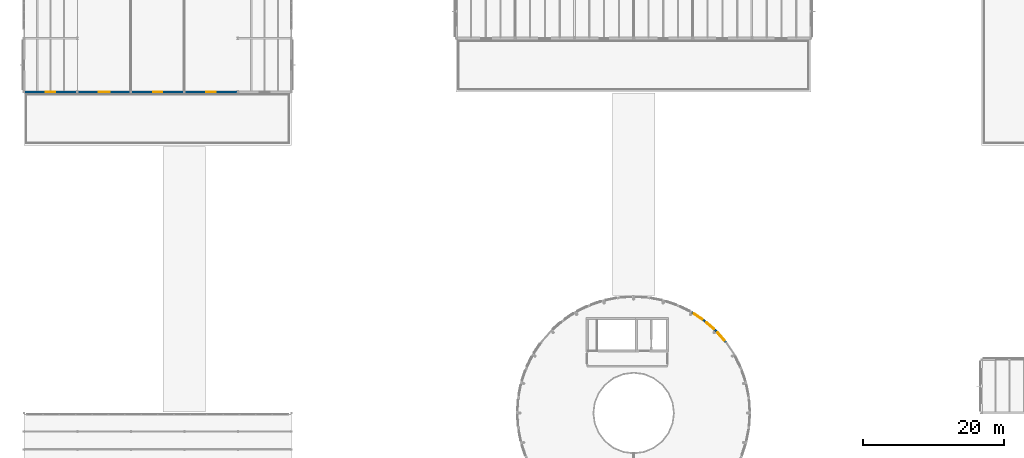
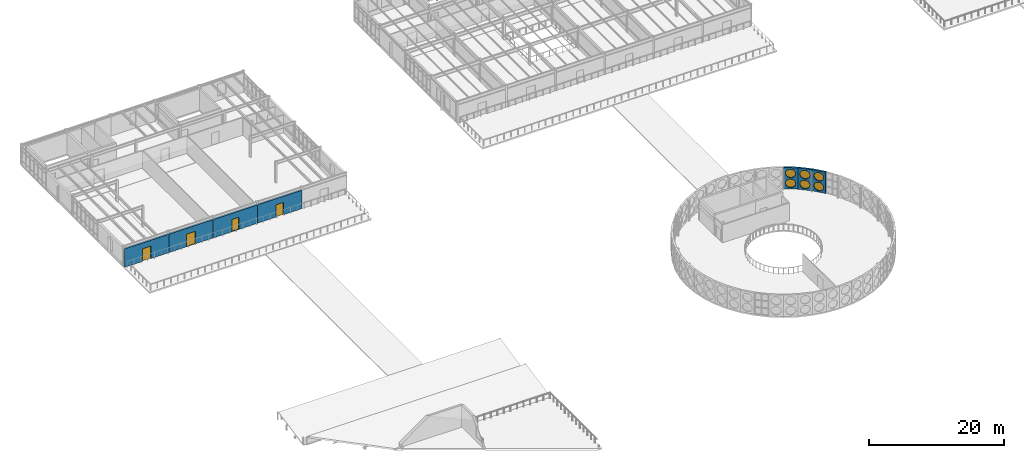
# One storey, part 89 of 114: 7 walls, 6 windows, 4 doors, 10 openings.
"""IFC4 building model written with IfcOpenShell, lengths in metres."""

from ifc_helpers import new_model, si_unit, direction, frame, frame_2d, origin, place, context, subcontext, project, spatial, rectangle, circle, extrude, material, layer, layer_set, type_object, element, fill, save


model = new_model("IFC4")

# Units and contexts
model_context = context("Model", 3, precision=1e-05, world=origin(), true_north=direction((0.0, 1.0)))
body_context = subcontext(model_context, "Body", "Model", "MODEL_VIEW")
ifc_project = project(units=[si_unit("LENGTHUNIT", "METRE"), si_unit("AREAUNIT", "SQUARE_METRE"), si_unit("VOLUMEUNIT", "CUBIC_METRE"), si_unit("PLANEANGLEUNIT", "RADIAN"), si_unit("MASSUNIT", "GRAM", prefix="KILO")], contexts=[model_context])

# Site, building, storey
site_placement = place(None, origin())
site = spatial("IfcSite", under=ifc_project, at=site_placement, CompositionType="ELEMENT")
building_placement = place(site_placement, origin())
building = spatial("IfcBuilding", under=site, at=building_placement, Name="Montecoro Central Library", CompositionType="ELEMENT")
storey_placement = place(building_placement, frame((0.0, 0.0, 13.260009765625)))
storey = spatial("IfcBuildingStorey", under=building, at=storey_placement, Name="L03", CompositionType="ELEMENT", Elevation=13.260009765625)

# Wall, openings, windows
ifc_material_1 = material(Name="Travertine Roman Stone and concrete C35/45", Category="masonry")
ifc_layer_1 = layer(ifc_material_1, 0.294921875)
ifc_layer_set_1 = layer_set([ifc_layer_1], Name="Travertine Roman Stone and concrete C35/45")
wall_type_1 = type_object("IfcWallType", Name="EW-DRM-295", PredefinedType="SOLIDWALL", material=ifc_layer_set_1)
wall_1_placement = place(storey_placement, frame((104.700927734375, 45.462890625, 0.0), z_axis=(0.0, 0.0, 1.0), x_axis=(-0.659688303725, 0.751539314958, 0.0)))
wall_1 = element("IfcWall", 1, at=wall_1_placement, inside=storey, type_object=wall_type_1, Name="V1-L03-EW-06", PredefinedType="SOLIDWALL", context=body_context, shape_type="SweptSolid", body=[
    extrude(rectangle(XDim=2.14501953125, YDim=0.294921875, at=frame_2d((1.072509765625, 0.0))), origin(), (0.0, 0.0, 1.0), 3.85498046875),
])
opening_1_placement = place(wall_1_placement, frame((0.31201171875, 0.0, 0.25)))
opening_1 = element("IfcOpeningElement", 2, at=opening_1_placement, cuts=wall_1, Name="Opening WP-06", PredefinedType="OPENING", context=body_context, shape_type="SweptSolid", body=[
    extrude(circle(Radius=0.760009765625, at=frame_2d((0.760009765625, 0.760009765625))), frame((0.0, 0.157470703125, 0.0), z_axis=(0.0, -1.0, 0.0), x_axis=(1.0, 0.0, 0.0)), (0.0, 0.0, 1.0), 0.31494140625),
])
opening_2_placement = place(wall_1_placement, frame((0.31201171875, 0.0, 2.030029296875)))
opening_2 = element("IfcOpeningElement", 3, at=opening_2_placement, cuts=wall_1, Name="Opening WP-05", PredefinedType="OPENING", context=body_context, shape_type="SweptSolid", body=[
    extrude(circle(Radius=0.760009765625, at=frame_2d((0.760009765625, 0.760009765625))), frame((0.0, 0.157470703125, 0.0), z_axis=(0.0, -1.0, 0.0), x_axis=(1.0, 0.0, 0.0)), (0.0, 0.0, 1.0), 0.31494140625),
])
ifc_material_2 = material(Name="Clear sky-blue low-E laminated glazing", Category="glass")
window_type_1 = type_object("IfcWindowType", Name="WN-POR-CLR-152", PartitioningType="SINGLE_PANEL", PredefinedType="WINDOW", material=ifc_material_2)
window_1_placement = place(opening_2_placement, origin())
window_1 = element("IfcWindow", 4, at=window_1_placement, inside=storey, type_object=window_type_1, Name="V1-L03-WP-06-2", OverallHeight=1.52001953125, OverallWidth=1.52001953125, PartitioningType="SINGLE_PANEL", PredefinedType="WINDOW", context=body_context, shape_type="SweptSolid", body=[
    extrude(circle(Radius=0.760009765625, at=frame_2d((0.760009765625, 0.760009765625))), frame((0.0, 0.030029296875, 0.0), z_axis=(0.0, -1.0, 0.0), x_axis=(1.0, 0.0, 0.0)), (0.0, 0.0, 1.0), 0.06005859375),
])
fill(opening_2, window_1)
ifc_material_3 = material(Name="Frosted pearl-white ceramic-fritted glazing", Category="glass")
window_type_2 = type_object("IfcWindowType", Name="WN-POR-FRT-152", PartitioningType="SINGLE_PANEL", PredefinedType="WINDOW", material=ifc_material_3)
window_2_placement = place(opening_1_placement, origin())
window_2 = element("IfcWindow", 5, at=window_2_placement, inside=storey, type_object=window_type_2, Name="V1-L03-WP-06-1", OverallHeight=1.52001953125, OverallWidth=1.52001953125, PartitioningType="SINGLE_PANEL", PredefinedType="WINDOW", context=body_context, shape_type="SweptSolid", body=[
    extrude(circle(Radius=0.760009765625, at=frame_2d((0.760009765625, 0.760009765625))), frame((0.0, 0.030029296875, 0.0), z_axis=(0.0, -1.0, 0.0), x_axis=(1.0, 0.0, 0.0)), (0.0, 0.0, 1.0), 0.06005859375),
])
fill(opening_1, window_2)

wall_2_placement = place(storey_placement, frame((103.27490234375, 47.0859375, 0.0), z_axis=(0.0, 0.0, 1.0), x_axis=(-0.751489776362, 0.659744735503, 0.0)))
wall_2 = element("IfcWall", 6, at=wall_2_placement, inside=storey, type_object=wall_type_1, Name="V1-L03-EW-07", PredefinedType="SOLIDWALL", context=body_context, shape_type="SweptSolid", body=[
    extrude(rectangle(XDim=2.144775390625, YDim=0.294921875, at=frame_2d((1.072265625, 0.0))), origin(), (0.0, 0.0, 1.0), 3.85498046875),
])
opening_3_placement = place(wall_2_placement, frame((0.31201171875, 0.0, 0.25)))
opening_3 = element("IfcOpeningElement", 7, at=opening_3_placement, cuts=wall_2, Name="Opening WP-05", PredefinedType="OPENING", context=body_context, shape_type="SweptSolid", body=[
    extrude(circle(Radius=0.760009765625, at=frame_2d((0.760009765625, 0.760009765625))), frame((0.0, 0.157470703125, 0.0), z_axis=(0.0, -1.0, 0.0), x_axis=(1.0, 0.0, 0.0)), (0.0, 0.0, 1.0), 0.31494140625),
])
opening_4_placement = place(wall_2_placement, frame((0.31201171875, 0.0, 2.030029296875)))
opening_4 = element("IfcOpeningElement", 8, at=opening_4_placement, cuts=wall_2, Name="Opening WP-06", PredefinedType="OPENING", context=body_context, shape_type="SweptSolid", body=[
    extrude(circle(Radius=0.760009765625, at=frame_2d((0.760009765625, 0.760009765625))), frame((0.0, 0.157470703125, 0.0), z_axis=(0.0, -1.0, 0.0), x_axis=(1.0, 0.0, 0.0)), (0.0, 0.0, 1.0), 0.31494140625),
])
window_3_placement = place(opening_3_placement, origin())
window_3 = element("IfcWindow", 9, at=window_3_placement, inside=storey, type_object=window_type_1, Name="V1-L03-WP-07-1", OverallHeight=1.52001953125, OverallWidth=1.52001953125, PartitioningType="SINGLE_PANEL", PredefinedType="WINDOW", context=body_context, shape_type="SweptSolid", body=[
    extrude(circle(Radius=0.760009765625, at=frame_2d((0.760009765625, 0.760009765625))), frame((0.0, 0.030029296875, 0.0), z_axis=(0.0, -1.0, 0.0), x_axis=(1.0, 0.0, 0.0)), (0.0, 0.0, 1.0), 0.06005859375),
])
fill(opening_3, window_3)
window_4_placement = place(opening_4_placement, origin())
window_4 = element("IfcWindow", 10, at=window_4_placement, inside=storey, type_object=window_type_2, Name="V1-L03-WP-07-2", OverallHeight=1.52001953125, OverallWidth=1.52001953125, PartitioningType="SINGLE_PANEL", PredefinedType="WINDOW", context=body_context, shape_type="SweptSolid", body=[
    extrude(circle(Radius=0.760009765625, at=frame_2d((0.760009765625, 0.760009765625))), frame((0.0, 0.030029296875, 0.0), z_axis=(0.0, -1.0, 0.0), x_axis=(1.0, 0.0, 0.0)), (0.0, 0.0, 1.0), 0.06005859375),
])
fill(opening_4, window_4)

wall_3_placement = place(storey_placement, frame((101.64990234375, 48.510009765625, 0.0), z_axis=(0.0, 0.0, 1.0), x_axis=(-0.831138710759, 0.556065143197, 0.0)))
wall_3 = element("IfcWall", 11, at=wall_3_placement, inside=storey, type_object=wall_type_1, Name="V1-L03-EW-08", PredefinedType="SOLIDWALL", context=body_context, shape_type="SweptSolid", body=[
    extrude(rectangle(XDim=2.145263671875, YDim=0.294921875, at=frame_2d((1.07275390625, 0.0))), origin(), (0.0, 0.0, 1.0), 3.85498046875),
])
opening_5_placement = place(wall_3_placement, frame((0.31298828125, 0.0, 0.25)))
opening_5 = element("IfcOpeningElement", 12, at=opening_5_placement, cuts=wall_3, Name="Opening WP-06", PredefinedType="OPENING", context=body_context, shape_type="SweptSolid", body=[
    extrude(circle(Radius=0.760009765625, at=frame_2d((0.760009765625, 0.760009765625))), frame((0.0, 0.157470703125, 0.0), z_axis=(0.0, -1.0, 0.0), x_axis=(1.0, 0.0, 0.0)), (0.0, 0.0, 1.0), 0.31494140625),
])
opening_6_placement = place(wall_3_placement, frame((0.31298828125, 0.0, 2.030029296875)))
opening_6 = element("IfcOpeningElement", 13, at=opening_6_placement, cuts=wall_3, Name="Opening WP-05", PredefinedType="OPENING", context=body_context, shape_type="SweptSolid", body=[
    extrude(circle(Radius=0.760009765625, at=frame_2d((0.760009765625, 0.760009765625))), frame((0.0, 0.157470703125, 0.0), z_axis=(0.0, -1.0, 0.0), x_axis=(1.0, 0.0, 0.0)), (0.0, 0.0, 1.0), 0.31494140625),
])
window_5_placement = place(opening_6_placement, origin())
window_5 = element("IfcWindow", 14, at=window_5_placement, inside=storey, type_object=window_type_1, Name="V1-L03-WP-08-2", OverallHeight=1.52001953125, OverallWidth=1.52001953125, PartitioningType="SINGLE_PANEL", PredefinedType="WINDOW", context=body_context, shape_type="SweptSolid", body=[
    extrude(circle(Radius=0.760009765625, at=frame_2d((0.760009765625, 0.760009765625))), frame((0.0, 0.030029296875, 0.0), z_axis=(0.0, -1.0, 0.0), x_axis=(1.0, 0.0, 0.0)), (0.0, 0.0, 1.0), 0.06005859375),
])
fill(opening_6, window_5)
window_6_placement = place(opening_5_placement, origin())
window_6 = element("IfcWindow", 15, at=window_6_placement, inside=storey, type_object=window_type_2, Name="V1-L03-WP-08-1", OverallHeight=1.52001953125, OverallWidth=1.52001953125, PartitioningType="SINGLE_PANEL", PredefinedType="WINDOW", context=body_context, shape_type="SweptSolid", body=[
    extrude(circle(Radius=0.760009765625, at=frame_2d((0.760009765625, 0.760009765625))), frame((0.0, 0.030029296875, 0.0), z_axis=(0.0, -1.0, 0.0), x_axis=(1.0, 0.0, 0.0)), (0.0, 0.0, 1.0), 0.06005859375),
])
fill(opening_5, window_6)

# Wall, opening, door
ifc_material_4 = material(Name="Roman travertine stone clad concrete C35/45", Category="masonry")
ifc_layer_2 = layer(ifc_material_4, 0.324951171875)
ifc_layer_set_2 = layer_set([ifc_layer_2], Name="Roman travertine stone clad concrete C35/45")
wall_type_2 = type_object("IfcWallType", Name="EW-TRV-325", PredefinedType="SOLIDWALL", material=ifc_layer_set_2)
wall_4_placement = place(storey_placement, frame((5.00390625, 81.0, 0.0), z_axis=(0.0, 0.0, 1.0), x_axis=(1.0, 0.0, 0.0)))
wall_4 = element("IfcWall", 16, at=wall_4_placement, inside=storey, type_object=wall_type_2, Name="V4-L03-EW-S0", PredefinedType="SOLIDWALL", context=body_context, shape_type="SweptSolid", body=[
    extrude(rectangle(XDim=7.592041015625, YDim=0.324951171875, at=frame_2d((3.7958984375, 0.0))), origin(), (0.0, 0.0, 1.0), 3.320068359375),
])
opening_7_placement = place(wall_4_placement, frame((3.095947265625, 0.0, 0.0)))
opening_7 = element("IfcOpeningElement", 17, at=opening_7_placement, cuts=wall_4, Name="Opening ED-07", PredefinedType="OPENING", context=body_context, shape_type="SweptSolid", body=[
    extrude(rectangle(XDim=1.39990234375, YDim=2.25, at=frame_2d((0.699951171875, 1.125))), frame((0.0, 0.17236328125, 0.0), z_axis=(0.0, -1.0, 0.0), x_axis=(1.0, 0.0, 0.0)), (0.0, 0.0, 1.0), 0.344970703125),
])
ifc_material_5 = material(Name="Thermally broken architectural bronze and safety glass", Category="glass")
door_type_1 = type_object("IfcDoorType", Name="ED-TER-140", OperationType="NOTDEFINED", PredefinedType="DOOR", material=ifc_material_5)
door_1_placement = place(opening_7_placement, origin())
door_1 = element("IfcDoor", 18, at=door_1_placement, inside=storey, type_object=door_type_1, Name="V4-L03-TD-S0", OperationType="SINGLE_SWING_LEFT", OverallHeight=2.25, OverallWidth=1.39990234375, PredefinedType="DOOR", context=body_context, shape_type="SweptSolid", body=[
    extrude(rectangle(XDim=1.39990234375, YDim=2.25, at=frame_2d((0.699951171875, 1.125))), frame((0.0, 0.02490234375, 0.0), z_axis=(0.0, -1.0, 0.0), x_axis=(1.0, 0.0, 0.0)), (0.0, 0.0, 1.0), 0.050048828125),
])
fill(opening_7, door_1)

wall_5_placement = place(storey_placement, frame((12.60400390625, 81.0, 0.0), z_axis=(0.0, 0.0, 1.0), x_axis=(1.0, 0.0, 0.0)))
wall_5 = element("IfcWall", 19, at=wall_5_placement, inside=storey, type_object=wall_type_2, Name="V4-L03-EW-S1", PredefinedType="SOLIDWALL", context=body_context, shape_type="SweptSolid", body=[
    extrude(rectangle(XDim=7.592041015625, YDim=0.324951171875, at=frame_2d((3.7958984375, 0.0))), origin(), (0.0, 0.0, 1.0), 3.320068359375),
])
opening_8_placement = place(wall_5_placement, frame((3.02099609375, 0.0, 0.0)))
opening_8 = element("IfcOpeningElement", 20, at=opening_8_placement, cuts=wall_5, Name="Opening ED-08", PredefinedType="OPENING", context=body_context, shape_type="SweptSolid", body=[
    extrude(rectangle(XDim=1.550048828125, YDim=2.280029296875, at=frame_2d((0.77490234375, 1.14013671875))), frame((0.0, 0.17236328125, 0.0), z_axis=(0.0, -1.0, 0.0), x_axis=(1.0, 0.0, 0.0)), (0.0, 0.0, 1.0), 0.344970703125),
])
door_type_2 = type_object("IfcDoorType", Name="ED-TER-155", OperationType="NOTDEFINED", PredefinedType="DOOR", material=ifc_material_5)
door_2_placement = place(opening_8_placement, origin())
door_2 = element("IfcDoor", 21, at=door_2_placement, inside=storey, type_object=door_type_2, Name="V4-L03-TD-S1", OperationType="SINGLE_SWING_RIGHT", OverallHeight=2.280029296875, OverallWidth=1.550048828125, PredefinedType="DOOR", context=body_context, shape_type="SweptSolid", body=[
    extrude(rectangle(XDim=1.550048828125, YDim=2.280029296875, at=frame_2d((0.77490234375, 1.14013671875))), frame((0.0, 0.02490234375, 0.0), z_axis=(0.0, -1.0, 0.0), x_axis=(1.0, 0.0, 0.0)), (0.0, 0.0, 1.0), 0.050048828125),
])
fill(opening_8, door_2)

wall_6_placement = place(storey_placement, frame((20.2041015625, 81.0, 0.0), z_axis=(0.0, 0.0, 1.0), x_axis=(1.0, 0.0, 0.0)))
wall_6 = element("IfcWall", 22, at=wall_6_placement, inside=storey, type_object=wall_type_2, Name="V4-L03-EW-S2", PredefinedType="SOLIDWALL", context=body_context, shape_type="SweptSolid", body=[
    extrude(rectangle(XDim=7.591796875, YDim=0.324951171875, at=frame_2d((3.7958984375, 0.0))), origin(), (0.0, 0.0, 1.0), 3.320068359375),
])
opening_9_placement = place(wall_6_placement, frame((3.1708984375, 0.0, 0.0)))
opening_9 = element("IfcOpeningElement", 23, at=opening_9_placement, cuts=wall_6, Name="Opening ED-09", PredefinedType="OPENING", context=body_context, shape_type="SweptSolid", body=[
    extrude(rectangle(XDim=1.25, YDim=2.199951171875, at=frame_2d((0.625, 1.10009765625))), frame((0.0, 0.17236328125, 0.0), z_axis=(0.0, -1.0, 0.0), x_axis=(1.0, 0.0, 0.0)), (0.0, 0.0, 1.0), 0.344970703125),
])
door_type_3 = type_object("IfcDoorType", Name="ED-TER-125", OperationType="NOTDEFINED", PredefinedType="DOOR", material=ifc_material_5)
door_3_placement = place(opening_9_placement, origin())
door_3 = element("IfcDoor", 24, at=door_3_placement, inside=storey, type_object=door_type_3, Name="V4-L03-TD-S2", OperationType="SINGLE_SWING_LEFT", OverallHeight=2.199951171875, OverallWidth=1.25, PredefinedType="DOOR", context=body_context, shape_type="SweptSolid", body=[
    extrude(rectangle(XDim=1.25, YDim=2.199951171875, at=frame_2d((0.625, 1.10009765625))), frame((0.0, 0.02490234375, 0.0), z_axis=(0.0, -1.0, 0.0), x_axis=(1.0, 0.0, 0.0)), (0.0, 0.0, 1.0), 0.050048828125),
])
fill(opening_9, door_3)

wall_7_placement = place(storey_placement, frame((27.803955078125, 81.0, 0.0), z_axis=(0.0, 0.0, 1.0), x_axis=(1.0, 0.0, 0.0)))
wall_7 = element("IfcWall", 25, at=wall_7_placement, inside=storey, type_object=wall_type_2, Name="V4-L03-EW-S3", PredefinedType="SOLIDWALL", context=body_context, shape_type="SweptSolid", body=[
    extrude(rectangle(XDim=7.592041015625, YDim=0.324951171875, at=frame_2d((3.7958984375, 0.0))), origin(), (0.0, 0.0, 1.0), 3.320068359375),
])
opening_10_placement = place(wall_7_placement, frame((3.135986328125, 0.0, 0.0)))
opening_10 = element("IfcOpeningElement", 26, at=opening_10_placement, cuts=wall_7, Name="Opening ED-10", PredefinedType="OPENING", context=body_context, shape_type="SweptSolid", body=[
    extrude(rectangle(XDim=1.320068359375, YDim=2.219970703125, at=frame_2d((0.66015625, 1.10986328125))), frame((0.0, 0.17236328125, 0.0), z_axis=(0.0, -1.0, 0.0), x_axis=(1.0, 0.0, 0.0)), (0.0, 0.0, 1.0), 0.344970703125),
])
door_type_4 = type_object("IfcDoorType", Name="ED-TER-132", OperationType="NOTDEFINED", PredefinedType="DOOR", material=ifc_material_5)
door_4_placement = place(opening_10_placement, origin())
door_4 = element("IfcDoor", 27, at=door_4_placement, inside=storey, type_object=door_type_4, Name="V4-L03-TD-S3", OperationType="SINGLE_SWING_RIGHT", OverallHeight=2.219970703125, OverallWidth=1.320068359375, PredefinedType="DOOR", context=body_context, shape_type="SweptSolid", body=[
    extrude(rectangle(XDim=1.320068359375, YDim=2.219970703125, at=frame_2d((0.66015625, 1.10986328125))), frame((0.0, 0.02490234375, 0.0), z_axis=(0.0, -1.0, 0.0), x_axis=(1.0, 0.0, 0.0)), (0.0, 0.0, 1.0), 0.050048828125),
])
fill(opening_10, door_4)

save(model, "model.ifc")
